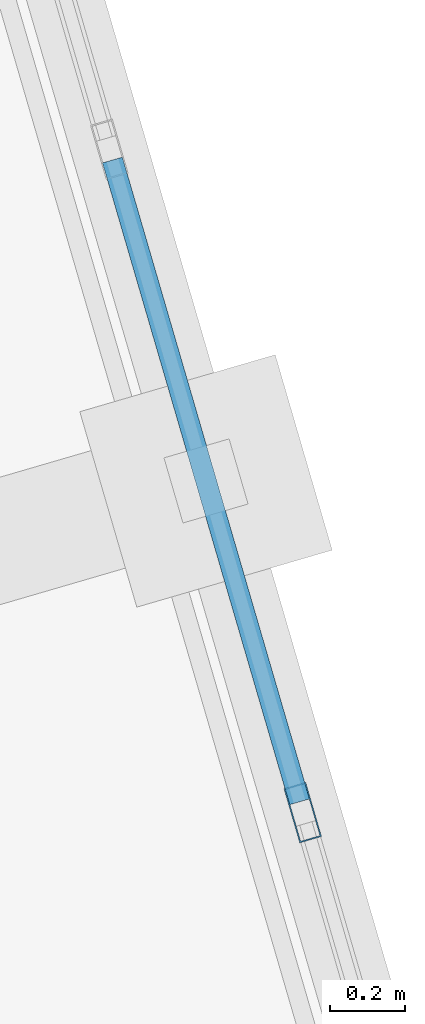
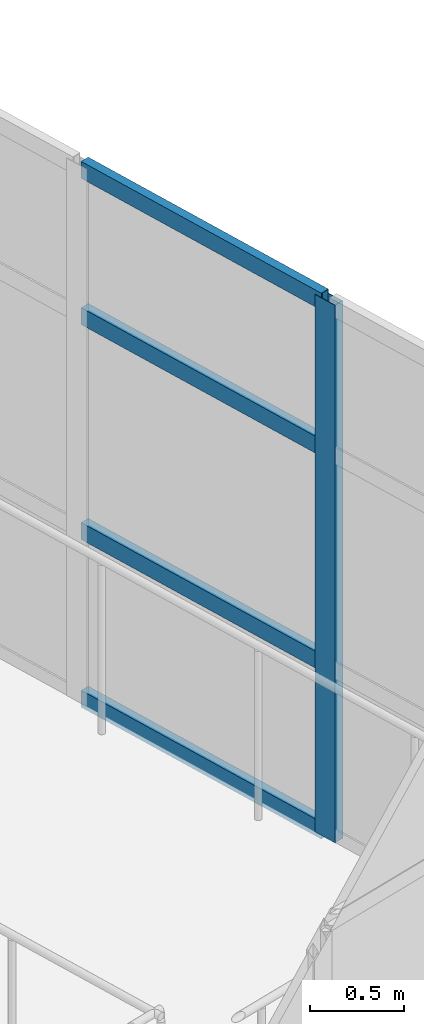
# One storey, part 74 of 248: 5 members, 1 element without a shape of its own.
"""IFC4 building model written with IfcOpenShell, lengths in metres."""

from ifc_helpers import new_model, si_unit, direction, frame, origin, origin_2d, place, context, subcontext, project, spatial, hollow_rectangle, extrude, material, layer, layer_set, material_profile, profile_set, type_object, element, aggregate, save


model = new_model("IFC4")

# Units and contexts
model_context = context("Model", 3, precision=1e-05, world=origin(), true_north=direction((0.0, 1.0)))
body_context = subcontext(model_context, "Body", "Model", "MODEL_VIEW")
ifc_project = project(units=[si_unit("LENGTHUNIT", "METRE"), si_unit("AREAUNIT", "SQUARE_METRE"), si_unit("VOLUMEUNIT", "CUBIC_METRE"), si_unit("PLANEANGLEUNIT", "RADIAN"), si_unit("MASSUNIT", "GRAM", prefix="KILO")], contexts=[model_context])

# Site, building, storey
site_placement = place(None, origin())
site = spatial("IfcSite", under=ifc_project, at=site_placement, CompositionType="ELEMENT")
building_placement = place(site_placement, origin())
building = spatial("IfcBuilding", under=site, at=building_placement, Name="Canggui Botanical Conservatory", CompositionType="ELEMENT")
storey_placement = place(building_placement, frame((0.0, 0.0, 5.39990234375)))
storey = spatial("IfcBuildingStorey", under=building, at=storey_placement, Name="L02", CompositionType="ELEMENT", Elevation=5.39990234375)

# Curtain wall, members
ifc_material = material(Name="Thermally Broken Aluminium", Category="aluminium")
ifc_layer = layer(ifc_material, 0.14990234375, Name="Thermally Broken Aluminium", Category="aluminium")
ifc_layer_set = layer_set([ifc_layer], Name="Thermally Broken Aluminium")
curtain_wall_type = type_object("IfcCurtainWallType", Name="CW-UNIT-C", PredefinedType="USERDEFINED", material=ifc_layer_set)
curtain_wall_placement = place(storey_placement, origin())
curtain_wall = element("IfcCurtainWall", 1, at=curtain_wall_placement, inside=storey, type_object=curtain_wall_type, Name="Facade Curtain Wall CW-CONS-GABLE-L02-N-01", ObjectType="UNITISED CURTAIN WALL", PredefinedType="USERDEFINED")
ifc_material_profile_1 = material_profile(ifc_material, hollow_rectangle(XDim=0.06005859375, YDim=0.14990234375, WallThickness=0.00341796875, at=origin_2d()), Name="CWM 60x150x3.5")
ifc_profile_set_1 = profile_set([ifc_material_profile_1], Name="Thermally Broken Aluminium")
member_type_1 = type_object("IfcMemberType", Name="CWM-03", PredefinedType="MULLION", material=ifc_profile_set_1)
member_1_placement = place(storey_placement, frame((71.256591796875, 59.1201171875, 0.0), z_axis=(0.0, 0.0, 1.0), x_axis=(-0.960000000002, -0.279999999995, 0.0)))
member_1 = element("IfcMember", 2, at=member_1_placement, type_object=member_type_1, Name="CW-03 mullion 2", PredefinedType="MULLION", context=body_context, shape_type="SweptSolid", body=[
    extrude(hollow_rectangle(XDim=0.06005859375, YDim=0.14990234375, WallThickness=0.00341796875, at=origin_2d()), origin(), (0.0, 0.0, 1.0), 3.5),
])
ifc_material_profile_2 = material_profile(ifc_material, hollow_rectangle(XDim=0.054931640625, YDim=0.110107421875, WallThickness=0.0029296875, at=origin_2d()), Name="CWT 55x110x3")
ifc_profile_set_2 = profile_set([ifc_material_profile_2], Name="Thermally Broken Aluminium")
member_type_2 = type_object("IfcMemberType", Name="CWT-03", PredefinedType="USERDEFINED", material=ifc_profile_set_2)
member_2_placement = place(storey_placement, frame((71.248291015625, 59.148681640625, 0.027587890625), z_axis=(-0.279989428111, 0.960003083405, 0.0), x_axis=(-0.960003083405, -0.279989428111, 0.0)))
member_2 = element("IfcMember", 3, at=member_2_placement, type_object=member_type_2, Name="CW-03 transom 2.1", ObjectType="TRANSOM", PredefinedType="USERDEFINED", context=body_context, shape_type="SweptSolid", body=[
    extrude(hollow_rectangle(XDim=0.054931640625, YDim=0.110107421875, WallThickness=0.0029296875, at=origin_2d()), origin(), (0.0, 0.0, 1.0), 1.773681640625),
])
member_3_placement = place(storey_placement, frame((71.248291015625, 59.148681640625, 1.1201171875), z_axis=(-0.279989428111, 0.960003083405, 0.0), x_axis=(-0.960003083405, -0.279989428111, 0.0)))
member_3 = element("IfcMember", 4, at=member_3_placement, type_object=member_type_2, Name="CW-03 transom 2.2", ObjectType="TRANSOM", PredefinedType="USERDEFINED", context=body_context, shape_type="SweptSolid", body=[
    extrude(hollow_rectangle(XDim=0.054931640625, YDim=0.110107421875, WallThickness=0.0029296875, at=origin_2d()), origin(), (0.0, 0.0, 1.0), 1.773681640625),
])
member_4_placement = place(storey_placement, frame((71.248291015625, 59.148681640625, 2.52001953125), z_axis=(-0.279989428111, 0.960003083405, 0.0), x_axis=(-0.960003083405, -0.279989428111, 0.0)))
member_4 = element("IfcMember", 5, at=member_4_placement, type_object=member_type_2, Name="CW-03 transom 2.3", ObjectType="TRANSOM", PredefinedType="USERDEFINED", context=body_context, shape_type="SweptSolid", body=[
    extrude(hollow_rectangle(XDim=0.054931640625, YDim=0.110107421875, WallThickness=0.0029296875, at=origin_2d()), origin(), (0.0, 0.0, 1.0), 1.773681640625),
])
member_5_placement = place(storey_placement, frame((71.248291015625, 59.148681640625, 3.47265625), z_axis=(-0.279989428111, 0.960003083405, 0.0), x_axis=(-0.960003083405, -0.279989428111, 0.0)))
member_5 = element("IfcMember", 6, at=member_5_placement, type_object=member_type_2, Name="CW-03 transom 2.4", ObjectType="TRANSOM", PredefinedType="USERDEFINED", context=body_context, shape_type="SweptSolid", body=[
    extrude(hollow_rectangle(XDim=0.054931640625, YDim=0.110107421875, WallThickness=0.0029296875, at=origin_2d()), origin(), (0.0, 0.0, 1.0), 1.773681640625),
])
aggregate(curtain_wall, [member_1, member_2, member_3, member_4, member_5])

save(model, "model.ifc")
